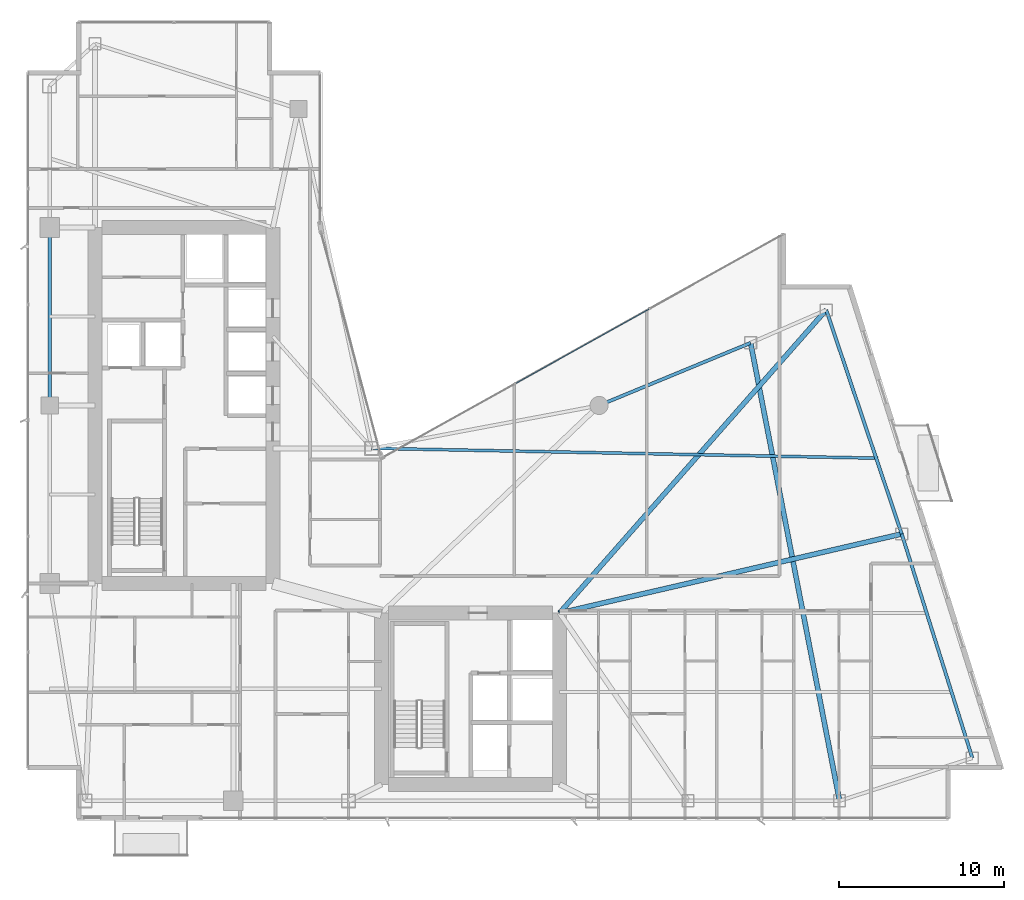
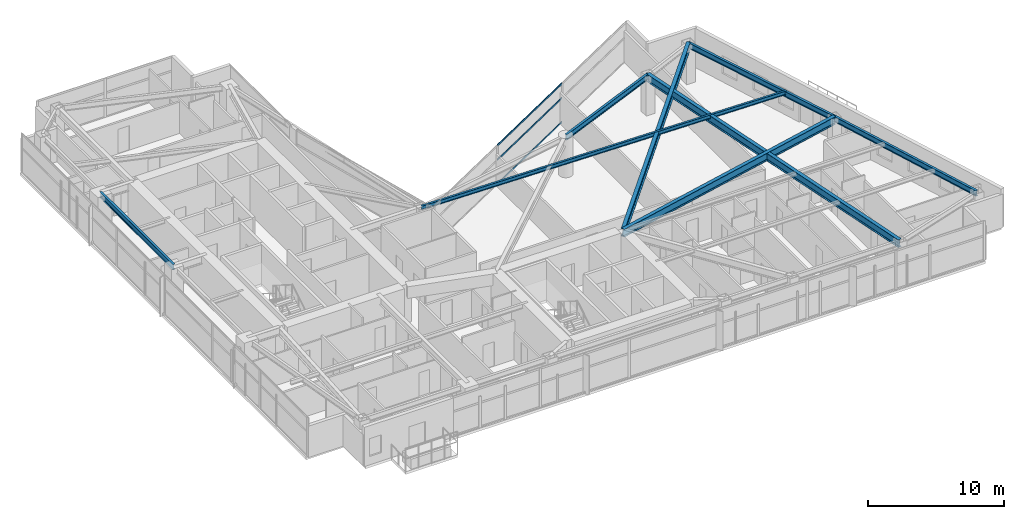
# One storey, part 15 of 28: 8 beams, 3 members, 1 element without a shape of its own.
"""IFC4 building model written with IfcOpenShell, lengths in metres."""

from ifc_helpers import new_model, si_unit, direction, frame, origin, origin_2d, place, context, subcontext, project, spatial, hollow_rectangle, i_section, extrude, material, layer, layer_set, material_profile, profile_set, type_object, element, aggregate, save


model = new_model("IFC4")

# Units and contexts
model_context = context("Model", 3, precision=1e-05, world=origin(), true_north=direction((0.0, 1.0)))
body_context = subcontext(model_context, "Body", "Model", "MODEL_VIEW")
ifc_project = project(units=[si_unit("LENGTHUNIT", "METRE"), si_unit("AREAUNIT", "SQUARE_METRE"), si_unit("VOLUMEUNIT", "CUBIC_METRE"), si_unit("PLANEANGLEUNIT", "RADIAN"), si_unit("MASSUNIT", "GRAM", prefix="KILO")], contexts=[model_context])

# Site, building, storey
site_placement = place(None, origin())
site = spatial("IfcSite", under=ifc_project, at=site_placement, CompositionType="ELEMENT")
building_placement = place(site_placement, origin())
building = spatial("IfcBuilding", under=site, at=building_placement, Name="Calvorn Quay Hotel", CompositionType="ELEMENT")
storey_placement = place(building_placement, frame((0.0, 0.0, 135.39990234375)))
storey = spatial("IfcBuildingStorey", under=building, at=storey_placement, Name="L33", CompositionType="ELEMENT", Elevation=135.39990234375)

# Beams
ifc_material_1 = material(Name="Steel Q390GJC", Category="steel")
ifc_material_profile_1 = material_profile(ifc_material_1, i_section(OverallWidth=0.300048828125, OverallDepth=0.699951171875, WebThickness=0.012939453125, FlangeThickness=0.02392578125, FilletRadius=0.02392578125, at=origin_2d()), Name="HN700x300x13x24")
ifc_profile_set_1 = profile_set([ifc_material_profile_1], Name="Steel Q390GJC")
beam_type_1 = type_object("IfcBeamType", Name="BM-GIRD-MAIN", PredefinedType="BEAM", material=ifc_profile_set_1)
beam_1_placement = place(storey_placement, frame((32.39990234375, 15.0, 3.170166015625), z_axis=(0.974334045812, 0.225107012711, 0.0), x_axis=(-0.225107012711, 0.974334045812, 0.0)))
element("IfcBeam", 1, at=beam_1_placement, inside=storey, type_object=beam_type_1, Name="Beam BG-L33-E2", PredefinedType="BEAM", context=body_context, shape_type="SweptSolid", body=[
    extrude(i_section(OverallWidth=0.300048828125, OverallDepth=0.699951171875, WebThickness=0.012939453125, FlangeThickness=0.02392578125, FilletRadius=0.02392578125, at=origin_2d()), origin(), (0.0, 0.0, 1.0), 21.323486328125),
])
beam_2_placement = place(storey_placement, frame((32.39990234375, 15.0, 3.170166015625), z_axis=(0.660610604248, 0.750728732336, 0.0), x_axis=(-0.750728732336, 0.660610604248, 0.0)))
element("IfcBeam", 2, at=beam_2_placement, inside=storey, type_object=beam_type_1, Name="Beam BG-L33-E3", PredefinedType="BEAM", context=body_context, shape_type="SweptSolid", body=[
    extrude(i_section(OverallWidth=0.300048828125, OverallDepth=0.699951171875, WebThickness=0.012939453125, FlangeThickness=0.02392578125, FilletRadius=0.02392578125, at=origin_2d()), origin(), (0.0, 0.0, 1.0), 24.50927734375),
])
beam_3_placement = place(storey_placement, frame((49.39990234375, 3.60009765625, 3.170166015625), z_axis=(-0.190678596862, 0.981652521363, 0.0), x_axis=(-0.981652521363, -0.190678596862, 0.0)))
element("IfcBeam", 3, at=beam_3_placement, inside=storey, type_object=beam_type_1, Name="Beam BG-L33-E5", PredefinedType="BEAM", context=body_context, shape_type="SweptSolid", body=[
    extrude(i_section(OverallWidth=0.300048828125, OverallDepth=0.699951171875, WebThickness=0.012939453125, FlangeThickness=0.02392578125, FilletRadius=0.02392578125, at=origin_2d()), origin(), (0.0, 0.0, 1.0), 28.3193359375),
])
ifc_material_2 = material(Name="Steel Q355B", Category="steel")
ifc_material_profile_2 = material_profile(ifc_material_2, i_section(OverallWidth=0.175048828125, OverallDepth=0.35009765625, WebThickness=0.007080078125, FlangeThickness=0.010986328125, FilletRadius=0.013916015625, at=origin_2d()), Name="HN350x175x7x11")
ifc_profile_set_2 = profile_set([ifc_material_profile_2], Name="Steel Q355B")
beam_type_2 = type_object("IfcBeamType", Name="BM-JOIST-SEC", PredefinedType="JOIST", material=ifc_profile_set_2)
beam_4_placement = place(storey_placement, frame((21.0, 25.0, 3.34521484375), z_axis=(0.999809345134, -0.019526222968, 0.0), x_axis=(0.019526222968, 0.999809345134, 0.0)))
element("IfcBeam", 4, at=beam_4_placement, inside=storey, type_object=beam_type_2, Name="Beam BJ-L33-E3", PredefinedType="JOIST", context=body_context, shape_type="SweptSolid", body=[
    extrude(i_section(OverallWidth=0.175048828125, OverallDepth=0.35009765625, WebThickness=0.007080078125, FlangeThickness=0.010986328125, FilletRadius=0.013916015625, at=origin_2d()), origin(), (0.0, 0.0, 1.0), 30.73291015625),
])
ifc_material_3 = material(Name="Steel Q355B", Category="steel")
ifc_material_profile_3 = material_profile(ifc_material_3, i_section(OverallWidth=0.199951171875, OverallDepth=0.5, WebThickness=0.010009765625, FlangeThickness=0.01611328125, FilletRadius=0.01611328125, at=origin_2d()), Name="HN500x200x10x16")
ifc_profile_set_3 = profile_set([ifc_material_profile_3], Name="Steel Q355B")
beam_type_3 = type_object("IfcBeamType", Name="BM-SPANDREL-Z1", PredefinedType="SPANDREL", material=ifc_profile_set_3)
beam_5_placement = place(storey_placement, frame((1.449951171875, 27.60009765625, 3.27001953125), z_axis=(0.0, 1.0, 0.0), x_axis=(-1.0, 0.0, 0.0)))
element("IfcBeam", 5, at=beam_5_placement, inside=storey, type_object=beam_type_3, Name="Beam BSP-L33-W3", PredefinedType="SPANDREL", context=body_context, shape_type="SweptSolid", body=[
    extrude(i_section(OverallWidth=0.199951171875, OverallDepth=0.5, WebThickness=0.010009765625, FlangeThickness=0.01611328125, FilletRadius=0.01611328125, at=origin_2d()), origin(), (0.0, 0.0, 1.0), 10.7998046875),
])
beam_6_placement = place(storey_placement, frame((57.4609375, 6.199951171875, 3.27001953125), z_axis=(-0.300502802767, 0.953780931624, 0.0), x_axis=(-0.953780931624, -0.300502802767, 0.0)))
element("IfcBeam", 6, at=beam_6_placement, inside=storey, type_object=beam_type_3, Name="Beam BSP-L33-E1", PredefinedType="SPANDREL", context=body_context, shape_type="SweptSolid", body=[
    extrude(i_section(OverallWidth=0.199951171875, OverallDepth=0.5, WebThickness=0.010009765625, FlangeThickness=0.01611328125, FilletRadius=0.01611328125, at=origin_2d()), origin(), (0.0, 0.0, 1.0), 14.259033203125),
])
beam_7_placement = place(storey_placement, frame((53.176025390625, 19.800048828125, 3.27001953125), z_axis=(-0.319466515944, 0.947597564998, 0.0), x_axis=(-0.947597564998, -0.319466515944, 0.0)))
element("IfcBeam", 7, at=beam_7_placement, inside=storey, type_object=beam_type_3, Name="Beam BSP-L33-E2", PredefinedType="SPANDREL", context=body_context, shape_type="SweptSolid", body=[
    extrude(i_section(OverallWidth=0.199951171875, OverallDepth=0.5, WebThickness=0.010009765625, FlangeThickness=0.01611328125, FilletRadius=0.01611328125, at=origin_2d()), origin(), (0.0, 0.0, 1.0), 14.35205078125),
])
beam_8_placement = place(storey_placement, frame((44.0, 31.39990234375, 3.27001953125), z_axis=(-0.92426763497, -0.381745123017, 0.0), x_axis=(0.381745123017, -0.92426763497, 0.0)))
element("IfcBeam", 8, at=beam_8_placement, inside=storey, type_object=beam_type_3, Name="Beam BSP-L33-E4", PredefinedType="SPANDREL", context=body_context, shape_type="SweptSolid", body=[
    extrude(i_section(OverallWidth=0.199951171875, OverallDepth=0.5, WebThickness=0.010009765625, FlangeThickness=0.01611328125, FilletRadius=0.01611328125, at=origin_2d()), origin(), (0.0, 0.0, 1.0), 9.953857421875),
])

# Curtain wall, members
ifc_material_4 = material(Name="Pale Anodised Aluminium and Low-E Glass", Category="aluminium")
ifc_layer = layer(ifc_material_4, 0.219970703125)
ifc_layer_set = layer_set([ifc_layer], Name="CW-SYS-Z2")
curtain_wall_type = type_object("IfcCurtainWallType", Name="CW-SYS-Z2", PredefinedType="NOTDEFINED", material=ifc_layer_set)
curtain_wall_placement = place(storey_placement, origin())
curtain_wall = element("IfcCurtainWall", 9, at=curtain_wall_placement, inside=storey, type_object=curtain_wall_type, Name="Inner Court Curtain Wall L33-NE1", PredefinedType="NOTDEFINED")
ifc_material_5 = material(Name="Pale Anodised Aluminium 6063-T6", Category="aluminium")
ifc_material_profile_4 = material_profile(ifc_material_5, hollow_rectangle(XDim=0.06005859375, YDim=0.14990234375, WallThickness=0.00341796875, at=origin_2d()), Name="ALU-T150x60x3.5")
ifc_profile_set_4 = profile_set([ifc_material_profile_4], Name="Pale Anodised Aluminium 6063-T6")
member_type = type_object("IfcMemberType", Name="CW-SYS-Z2-TRN", PredefinedType="USERDEFINED", material=ifc_profile_set_4)
member_1_placement = place(storey_placement, frame((37.840576171875, 33.4521484375, 0.030029296875), z_axis=(-0.873483012802, -0.486854625474, 0.0), x_axis=(0.486854625474, -0.873483012802, 0.0)))
member_1 = element("IfcMember", 10, at=member_1_placement, type_object=member_type, Name="CW-L33-NE1 transom 2.1", ObjectType="TRANSOM", PredefinedType="USERDEFINED", context=body_context, shape_type="SweptSolid", body=[
    extrude(hollow_rectangle(XDim=0.06005859375, YDim=0.14990234375, WallThickness=0.00341796875, at=origin_2d()), origin(), (0.0, 0.0, 1.0), 9.25146484375),
])
member_2_placement = place(storey_placement, frame((37.840576171875, 33.4521484375, 2.2001953125), z_axis=(-0.873483012802, -0.486854625474, 0.0), x_axis=(0.486854625474, -0.873483012802, 0.0)))
member_2 = element("IfcMember", 11, at=member_2_placement, type_object=member_type, Name="CW-L33-NE1 transom 2.2", ObjectType="TRANSOM", PredefinedType="USERDEFINED", context=body_context, shape_type="SweptSolid", body=[
    extrude(hollow_rectangle(XDim=0.06005859375, YDim=0.14990234375, WallThickness=0.00341796875, at=origin_2d()), origin(), (0.0, 0.0, 1.0), 9.25146484375),
])
member_3_placement = place(storey_placement, frame((37.840576171875, 33.4521484375, 3.489990234375), z_axis=(-0.873483012802, -0.486854625474, 0.0), x_axis=(0.486854625474, -0.873483012802, 0.0)))
member_3 = element("IfcMember", 12, at=member_3_placement, type_object=member_type, Name="CW-L33-NE1 transom 2.3", ObjectType="TRANSOM", PredefinedType="USERDEFINED", context=body_context, shape_type="SweptSolid", body=[
    extrude(hollow_rectangle(XDim=0.06005859375, YDim=0.14990234375, WallThickness=0.00341796875, at=origin_2d()), origin(), (0.0, 0.0, 1.0), 9.25146484375),
])
aggregate(curtain_wall, [member_1, member_2, member_3])

save(model, "model.ifc")
